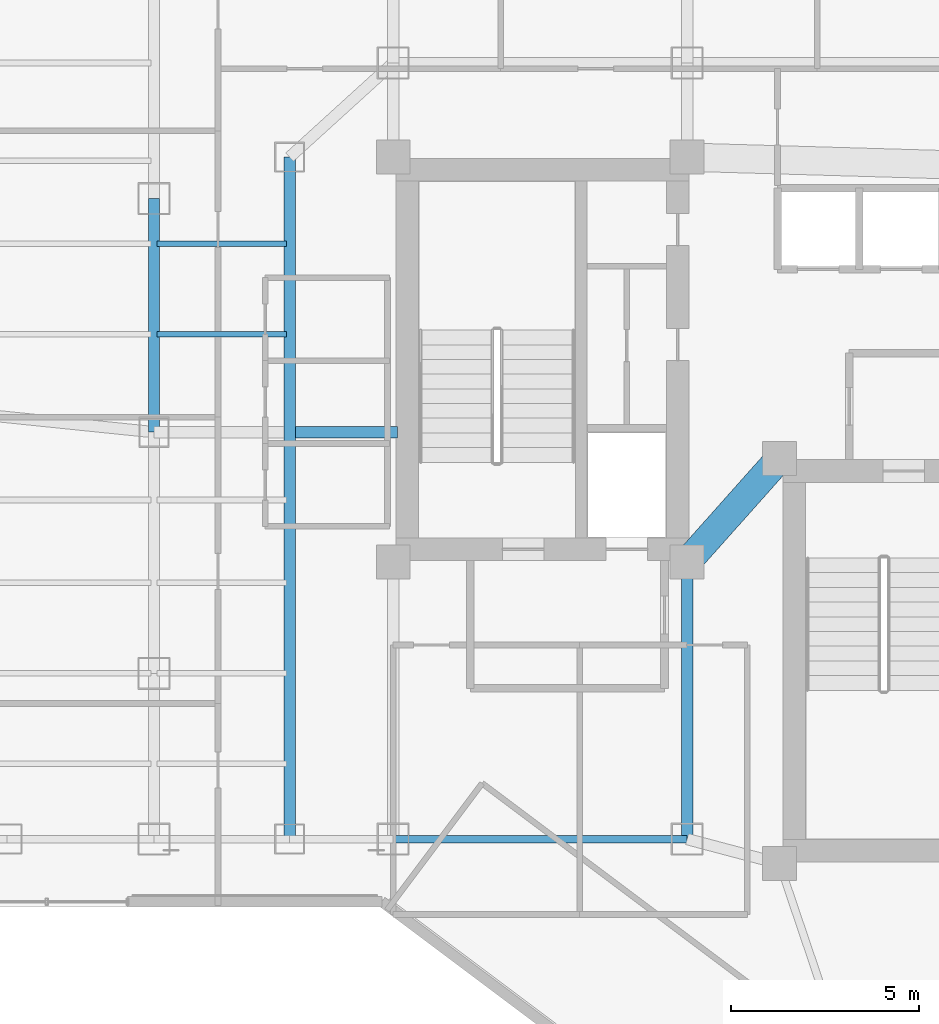
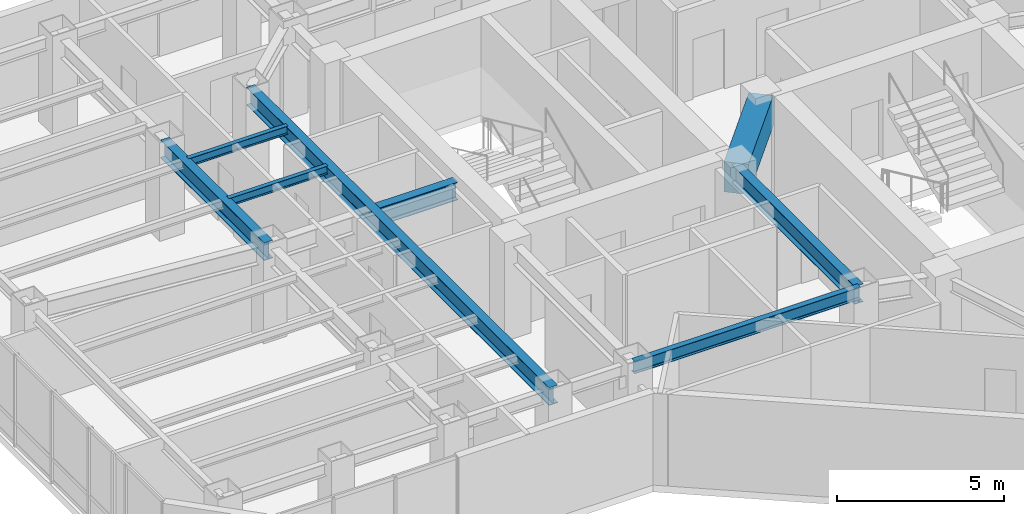
# One storey, part 9 of 27: 8 beams.
"""IFC4 building model written with IfcOpenShell, lengths in metres."""

from ifc_helpers import new_model, si_unit, direction, frame, origin, origin_2d, place, context, subcontext, project, spatial, rectangle, i_section, extrude, material, material_profile, profile_set, type_object, element, save


model = new_model("IFC4")

# Units and contexts
model_context = context("Model", 3, precision=1e-05, world=origin(), true_north=direction((0.0, 1.0)))
body_context = subcontext(model_context, "Body", "Model", "MODEL_VIEW")
ifc_project = project(units=[si_unit("LENGTHUNIT", "METRE"), si_unit("AREAUNIT", "SQUARE_METRE"), si_unit("VOLUMEUNIT", "CUBIC_METRE"), si_unit("PLANEANGLEUNIT", "RADIAN"), si_unit("MASSUNIT", "GRAM", prefix="KILO")], contexts=[model_context])

# Site, building, storey
site_placement = place(None, origin())
site = spatial("IfcSite", under=ifc_project, at=site_placement, CompositionType="ELEMENT")
building_placement = place(site_placement, origin())
building = spatial("IfcBuilding", under=site, at=building_placement, Name="Hatsunagi Terrace Concourse", CompositionType="ELEMENT")
storey_placement = place(building_placement, frame((0.0, 0.0, 142.050048828125)))
storey = spatial("IfcBuildingStorey", under=building, at=storey_placement, Name="L37", CompositionType="ELEMENT", Elevation=142.050048828125)

# Beams
ifc_material_1 = material(Name="Concrete Fc48", Category="concrete")
ifc_material_profile_1 = material_profile(ifc_material_1, rectangle(XDim=0.75, YDim=1.10009765625, at=origin_2d()), Name="RC-750x1100")
ifc_profile_set_1 = profile_set([ifc_material_profile_1], Name="Concrete Fc48")
beam_type_1 = type_object("IfcBeamType", Name="CoreCouplingBeam_RC_750x1100", PredefinedType="BEAM", material=ifc_profile_set_1)
beam_1_placement = place(storey_placement, frame((33.35009765625, 32.550048828125, 2.800048828125), z_axis=(0.665198651008, 0.746666427997, 0.0), x_axis=(-0.746666427997, 0.665198651008, 0.0)))
element("IfcBeam", 1, at=beam_1_placement, inside=storey, type_object=beam_type_1, Name="Beam CB-02 CB-L37-1", PredefinedType="BEAM", context=body_context, shape_type="SweptSolid", body=[
    extrude(rectangle(XDim=0.75, YDim=1.10009765625, at=origin_2d()), origin(), (0.0, 0.0, 1.0), 3.68310546875),
])
ifc_material_2 = material(Name="Steel SN490B", Category="steel")
ifc_material_profile_2 = material_profile(ifc_material_2, i_section(OverallWidth=0.14990234375, OverallDepth=0.300048828125, WebThickness=0.006591796875, FlangeThickness=0.009033203125, FilletRadius=0.010986328125, at=origin_2d()), Name="H-300x150x6.5x9")
ifc_profile_set_2 = profile_set([ifc_material_profile_2], Name="Steel SN490B")
beam_type_2 = type_object("IfcBeamType", Name="OfficeJoist_H_300x150", PredefinedType="JOIST", material=ifc_profile_set_2)
for number, where, z_axis, x_axis, name in (
    (2, (19.284912109375, 38.60009765625, 3.199951171875), (1.0, 0.0, 0.0), (0.0, 1.0, 0.0), "Beam J-03 J-L37-W-19-386"),
    (3, (19.284912109375, 41.0, 3.199951171875), (1.0, 0.0, 0.0), (0.0, 1.0, 0.0), "Beam J-03 J-L37-W-19-410"),
):
    element("IfcBeam", number, at=place(storey_placement, frame(where, z_axis=z_axis, x_axis=x_axis)), inside=storey, type_object=beam_type_2, Name=name, PredefinedType="JOIST", context=body_context, shape_type="SweptSolid", body=[
        extrude(i_section(OverallWidth=0.14990234375, OverallDepth=0.300048828125, WebThickness=0.006591796875, FlangeThickness=0.009033203125, FilletRadius=0.010986328125, at=origin_2d()), origin(), (0.0, 0.0, 1.0), 3.43017578125),
    ])
ifc_material_3 = material(Name="Steel SN490B", Category="steel")
ifc_material_profile_3 = material_profile(ifc_material_3, i_section(OverallWidth=0.300048828125, OverallDepth=0.64990234375, WebThickness=0.012939453125, FlangeThickness=0.02197265625, FilletRadius=0.01806640625, at=origin_2d()), Name="H-650x300x13x22")
ifc_profile_set_3 = profile_set([ifc_material_profile_3], Name="Steel SN490B")
beam_type_3 = type_object("IfcBeamType", Name="OfficeLowGirder_H_650x300", PredefinedType="BEAM", material=ifc_profile_set_3)
beam_2_placement = place(storey_placement, frame((33.35009765625, 25.199951171875, 3.02490234375), z_axis=(0.0, 1.0, 0.0), x_axis=(-1.0, 0.0, 0.0)))
element("IfcBeam", 4, at=beam_2_placement, inside=storey, type_object=beam_type_3, Name="Beam G-05 BM-L37-K2CA", PredefinedType="BEAM", context=body_context, shape_type="SweptSolid", body=[
    extrude(i_section(OverallWidth=0.300048828125, OverallDepth=0.64990234375, WebThickness=0.012939453125, FlangeThickness=0.02197265625, FilletRadius=0.01806640625, at=origin_2d()), origin(), (0.0, 0.0, 1.0), 7.35009765625),
])
beam_3_placement = place(storey_placement, frame((22.800048828125, 25.199951171875, 3.02490234375), z_axis=(0.0, 1.0, 0.0), x_axis=(-1.0, 0.0, 0.0)))
element("IfcBeam", 5, at=beam_3_placement, inside=storey, type_object=beam_type_3, Name="Beam G-05 BM-L37-CWNS", PredefinedType="BEAM", context=body_context, shape_type="SweptSolid", body=[
    extrude(i_section(OverallWidth=0.300048828125, OverallDepth=0.64990234375, WebThickness=0.012939453125, FlangeThickness=0.02197265625, FilletRadius=0.01806640625, at=origin_2d()), origin(), (0.0, 0.0, 1.0), 18.10009765625),
])
beam_4_placement = place(storey_placement, frame((19.199951171875, 36.0, 3.02490234375), z_axis=(0.0, 1.0, 0.0), x_axis=(-1.0, 0.0, 0.0)))
element("IfcBeam", 6, at=beam_4_placement, inside=storey, type_object=beam_type_3, Name="Beam G-05 BM-L37-NS-19-36", PredefinedType="BEAM", context=body_context, shape_type="SweptSolid", body=[
    extrude(i_section(OverallWidth=0.300048828125, OverallDepth=0.64990234375, WebThickness=0.012939453125, FlangeThickness=0.02197265625, FilletRadius=0.01806640625, at=origin_2d()), origin(), (0.0, 0.0, 1.0), 6.199951171875),
])
beam_5_placement = place(storey_placement, frame((22.949951171875, 36.0, 3.02490234375), z_axis=(1.0, 0.0, 0.0), x_axis=(0.0, 1.0, 0.0)))
element("IfcBeam", 7, at=beam_5_placement, inside=storey, type_object=beam_type_3, Name="Beam G-05 BM-L37-EW-4", PredefinedType="BEAM", context=body_context, shape_type="SweptSolid", body=[
    extrude(i_section(OverallWidth=0.300048828125, OverallDepth=0.64990234375, WebThickness=0.012939453125, FlangeThickness=0.02197265625, FilletRadius=0.01806640625, at=origin_2d()), origin(), (0.0, 0.0, 1.0), 2.7099609375),
])
ifc_material_4 = material(Name="Steel SN490B", Category="steel")
ifc_material_profile_4 = material_profile(ifc_material_4, i_section(OverallWidth=0.199951171875, OverallDepth=0.449951171875, WebThickness=0.009033203125, FlangeThickness=0.013916015625, FilletRadius=0.01611328125, at=origin_2d()), Name="H-450x200x9x14")
ifc_profile_set_4 = profile_set([ifc_material_profile_4], Name="Steel SN490B")
beam_type_4 = type_object("IfcBeamType", Name="PerimeterSpandrel_H_450x200", PredefinedType="SPANDREL", material=ifc_profile_set_4)
beam_6_placement = place(storey_placement, frame((25.550048828125, 25.199951171875, 3.125), z_axis=(1.0, 0.0, 0.0), x_axis=(0.0, 1.0, 0.0)))
element("IfcBeam", 8, at=beam_6_placement, inside=storey, type_object=beam_type_4, Name="Beam SP-02 BM-L37-WS-25", PredefinedType="SPANDREL", context=body_context, shape_type="SweptSolid", body=[
    extrude(i_section(OverallWidth=0.199951171875, OverallDepth=0.449951171875, WebThickness=0.009033203125, FlangeThickness=0.013916015625, FilletRadius=0.01611328125, at=origin_2d()), origin(), (0.0, 0.0, 1.0), 7.800048828125),
])

save(model, "model.ifc")
